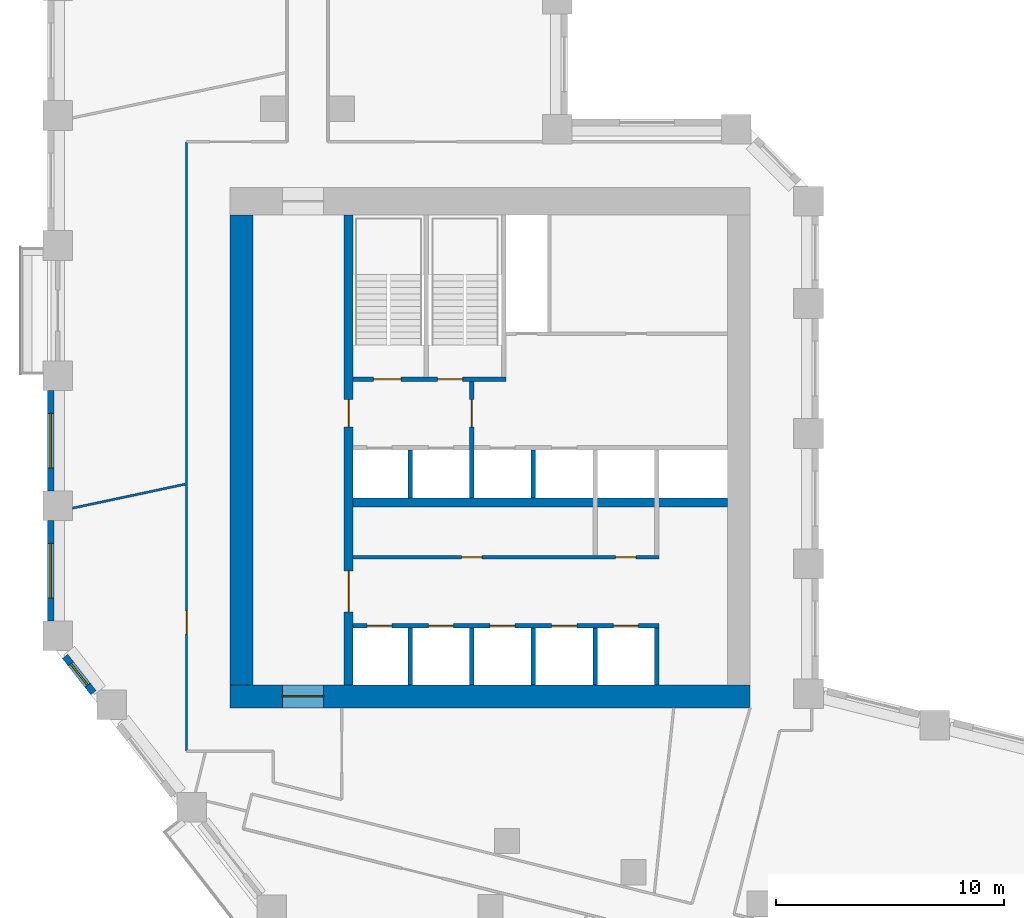
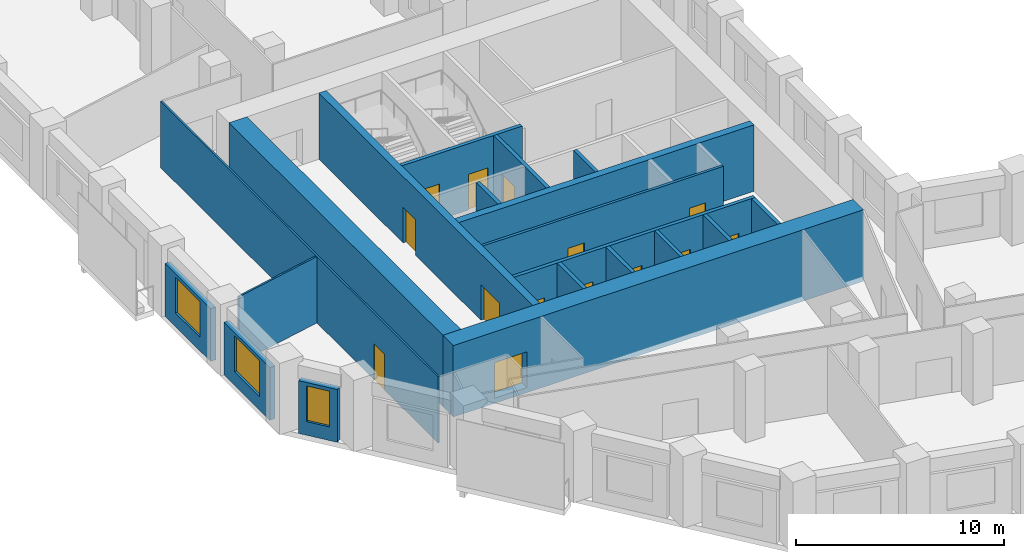
# One storey, part 4 of 11: 20 walls, 14 doors, 3 windows, 17 openings.
"""IFC4 building model written with IfcOpenShell, lengths in metres."""

from ifc_helpers import new_model, si_unit, direction, frame, frame_2d, origin, place, context, subcontext, project, spatial, rectangle, extrude, material, layer, layer_set, type_object, element, fill, save


model = new_model("IFC4")

# Units and contexts
model_context = context("Model", 3, precision=1e-05, world=origin(), true_north=direction((0.0, 1.0)))
body_context = subcontext(model_context, "Body", "Model", "MODEL_VIEW")
ifc_project = project(units=[si_unit("LENGTHUNIT", "METRE"), si_unit("AREAUNIT", "SQUARE_METRE"), si_unit("VOLUMEUNIT", "CUBIC_METRE"), si_unit("PLANEANGLEUNIT", "RADIAN"), si_unit("MASSUNIT", "GRAM", prefix="KILO")], contexts=[model_context])

# Site, building, storey
site_placement = place(None, origin())
site = spatial("IfcSite", under=ifc_project, at=site_placement, CompositionType="ELEMENT")
building_placement = place(site_placement, origin())
building = spatial("IfcBuilding", under=site, at=building_placement, Name="Meshkara Civic Tower", CompositionType="ELEMENT")
storey_placement = place(building_placement, frame((0.0, 0.0, 143.39990234375)))
storey = spatial("IfcBuildingStorey", under=building, at=storey_placement, Name="L32", CompositionType="ELEMENT", Elevation=143.39990234375)

# Wall, openings, doors
ifc_material_1 = material(Name="Blockwork", Category="masonry")
ifc_layer_1 = layer(ifc_material_1, 0.14990234375)
ifc_layer_set_1 = layer_set([ifc_layer_1], Name="Core partition 150")
wall_type_1 = type_object("IfcWallType", Name="Core partition 150", PredefinedType="PARTITIONING", material=ifc_layer_set_1)
wall_1_placement = place(storey_placement, frame((13.39990234375, 20.699951171875, 0.0), z_axis=(0.0, 0.0, 1.0), x_axis=(1.0, 0.0, 0.0)))
wall_1 = element("IfcWall", 1, at=wall_1_placement, inside=storey, type_object=wall_type_1, Name="L32-C006", PredefinedType="PARTITIONING", context=body_context, shape_type="SweptSolid", body=[
    extrude(rectangle(XDim=13.400146484375, YDim=0.14990234375, at=frame_2d((6.7001953125, 0.0))), origin(), (0.0, 0.0, 1.0), 3.900146484375),
])
opening_1_placement = place(wall_1_placement, frame((4.75, 0.0, 0.0)))
opening_1 = element("IfcOpeningElement", 2, at=opening_1_placement, cuts=wall_1, Name="Opening L32-K010", PredefinedType="OPENING", context=body_context, shape_type="SweptSolid", body=[
    extrude(rectangle(XDim=0.89990234375, YDim=2.10009765625, at=frame_2d((0.449951171875, 1.050048828125))), frame((0.0, 0.0849609375, 0.0), z_axis=(0.0, -1.0, 0.0), x_axis=(1.0, 0.0, 0.0)), (0.0, 0.0, 1.0), 0.169921875),
])
opening_2_placement = place(wall_1_placement, frame((11.5, 0.0, 0.0)))
opening_2 = element("IfcOpeningElement", 3, at=opening_2_placement, cuts=wall_1, Name="Opening L32-K011", PredefinedType="OPENING", context=body_context, shape_type="SweptSolid", body=[
    extrude(rectangle(XDim=0.89990234375, YDim=2.10009765625, at=frame_2d((0.449951171875, 1.050048828125))), frame((0.0, 0.0849609375, 0.0), z_axis=(0.0, -1.0, 0.0), x_axis=(1.0, 0.0, 0.0)), (0.0, 0.0, 1.0), 0.169921875),
])
ifc_material_2 = material(Name="Timber door leaf in steel frame", Category="steel")
door_type_1 = type_object("IfcDoorType", Name="Core room door 900", OperationType="SINGLE_SWING_LEFT", PredefinedType="DOOR", material=ifc_material_2)
door_1_placement = place(opening_1_placement, origin())
door_1 = element("IfcDoor", 4, at=door_1_placement, inside=storey, type_object=door_type_1, Name="L32-K010", OperationType="SINGLE_SWING_RIGHT", OverallHeight=2.10009765625, OverallWidth=0.89990234375, PredefinedType="DOOR", context=body_context, shape_type="SweptSolid", body=[
    extrude(rectangle(XDim=0.89990234375, YDim=2.10009765625, at=frame_2d((0.449951171875, 1.050048828125))), frame((0.0, 0.02490234375, 0.0), z_axis=(0.0, -1.0, 0.0), x_axis=(1.0, 0.0, 0.0)), (0.0, 0.0, 1.0), 0.050048828125),
])
fill(opening_1, door_1)
door_2_placement = place(opening_2_placement, origin())
door_2 = element("IfcDoor", 5, at=door_2_placement, inside=storey, type_object=door_type_1, Name="L32-K011", OperationType="SINGLE_SWING_RIGHT", OverallHeight=2.10009765625, OverallWidth=0.89990234375, PredefinedType="DOOR", context=body_context, shape_type="SweptSolid", body=[
    extrude(rectangle(XDim=0.89990234375, YDim=2.10009765625, at=frame_2d((0.449951171875, 1.050048828125))), frame((0.0, 0.02490234375, 0.0), z_axis=(0.0, -1.0, 0.0), x_axis=(1.0, 0.0, 0.0)), (0.0, 0.0, 1.0), 0.050048828125),
])
fill(opening_2, door_2)

# Wall, opening, door
ifc_material_3 = material(Name="Concrete C70", Category="concrete")
ifc_layer_2 = layer(ifc_material_3, 1.0)
ifc_layer_set_2 = layer_set([ifc_layer_2], Name="Core ring wall 1000 C70")
wall_type_2 = type_object("IfcWallType", Name="Core ring wall 1000 C70", PredefinedType="SHEAR", material=ifc_layer_set_2)
wall_2_placement = place(storey_placement, frame((8.0, 14.60009765625, -0.2998046875), z_axis=(0.0, 0.0, 1.0), x_axis=(1.0, 0.0, 0.0)))
wall_2 = element("IfcWall", 6, at=wall_2_placement, inside=storey, type_object=wall_type_2, Name="L32-C001", PredefinedType="SHEAR", context=body_context, shape_type="SweptSolid", body=[
    extrude(rectangle(XDim=22.800048828125, YDim=1.0, at=frame_2d((11.39990234375, 0.0))), origin(), (0.0, 0.0, 1.0), 4.199951171875),
])
opening_3_placement = place(wall_2_placement, frame((2.300048828125, 0.0, 0.300048828125)))
opening_3 = element("IfcOpeningElement", 7, at=opening_3_placement, cuts=wall_2, Name="Opening L32-K020", PredefinedType="OPENING", context=body_context, shape_type="SweptSolid", body=[
    extrude(rectangle(XDim=1.800048828125, YDim=2.10009765625, at=frame_2d((0.89990234375, 1.050048828125))), frame((0.0, 0.510009765625, 0.0), z_axis=(0.0, -1.0, 0.0), x_axis=(1.0, 0.0, 0.0)), (0.0, 0.0, 1.0), 1.02001953125),
])
ifc_material_4 = material(Name="Fire-rated door leaf in steel frame", Category="steel")
door_type_2 = type_object("IfcDoorType", Name="Core double door 1800 EI 60", OperationType="DOUBLE_DOOR_SINGLE_SWING", PredefinedType="DOOR", material=ifc_material_4)
door_3_placement = place(opening_3_placement, origin())
door_3 = element("IfcDoor", 8, at=door_3_placement, inside=storey, type_object=door_type_2, Name="L32-K020", OperationType="DOUBLE_DOOR_SINGLE_SWING", OverallHeight=2.10009765625, OverallWidth=1.800048828125, PredefinedType="DOOR", context=body_context, shape_type="SweptSolid", body=[
    extrude(rectangle(XDim=1.800048828125, YDim=2.10009765625, at=frame_2d((0.89990234375, 1.050048828125))), frame((0.0, 0.02490234375, 0.0), z_axis=(0.0, -1.0, 0.0), x_axis=(1.0, 0.0, 0.0)), (0.0, 0.0, 1.0), 0.050048828125),
])
fill(opening_3, door_3)

# Walls
wall_3_placement = place(storey_placement, frame((8.5, 15.10009765625, -0.2998046875), z_axis=(0.0, 0.0, 1.0), x_axis=(0.0, 1.0, 0.0)))
element("IfcWall", 9, at=wall_3_placement, inside=storey, type_object=wall_type_2, Name="L32-C003", PredefinedType="SHEAR", context=body_context, shape_type="SweptSolid", body=[
    extrude(rectangle(XDim=20.599853515625, YDim=1.0, at=frame_2d((10.2998046875, 0.0))), origin(), (0.0, 0.0, 1.0), 4.199951171875),
])
ifc_material_5 = material(Name="Concrete C70", Category="concrete")
ifc_layer_3 = layer(ifc_material_5, 0.39990234375)
ifc_layer_set_3 = layer_set([ifc_layer_3], Name="Core shear wall 400 C70")
wall_type_3 = type_object("IfcWallType", Name="Core shear wall 400 C70", PredefinedType="SHEAR", material=ifc_layer_set_3)
wall_4_placement = place(storey_placement, frame((13.39990234375, 23.10009765625, 0.0), z_axis=(0.0, 0.0, 1.0), x_axis=(1.0, 0.0, 0.0)))
element("IfcWall", 10, at=wall_4_placement, inside=storey, type_object=wall_type_3, Name="L32-C007", PredefinedType="SHEAR", context=body_context, shape_type="SweptSolid", body=[
    extrude(rectangle(XDim=16.400146484375, YDim=0.39990234375, at=frame_2d((8.2001953125, 0.0))), origin(), (0.0, 0.0, 1.0), 3.900146484375),
])

# Wall, openings, doors
wall_5_placement = place(storey_placement, frame((13.199951171875, 15.10009765625, 0.0), z_axis=(0.0, 0.0, 1.0), x_axis=(0.0, 1.0, 0.0)))
wall_5 = element("IfcWall", 11, at=wall_5_placement, inside=storey, type_object=wall_type_3, Name="L32-C011", PredefinedType="SHEAR", context=body_context, shape_type="SweptSolid", body=[
    extrude(rectangle(XDim=20.599853515625, YDim=0.39990234375, at=frame_2d((10.2998046875, 0.0))), origin(), (0.0, 0.0, 1.0), 3.900146484375),
])
opening_4_placement = place(wall_5_placement, frame((3.199951171875, 0.0, 0.0)))
opening_4 = element("IfcOpeningElement", 12, at=opening_4_placement, cuts=wall_5, Name="Opening L32-K016", PredefinedType="OPENING", context=body_context, shape_type="SweptSolid", body=[
    extrude(rectangle(XDim=1.800048828125, YDim=2.10009765625, at=frame_2d((0.89990234375, 1.050048828125))), frame((0.0, 0.2099609375, 0.0), z_axis=(0.0, -1.0, 0.0), x_axis=(1.0, 0.0, 0.0)), (0.0, 0.0, 1.0), 0.419921875),
])
opening_5_placement = place(wall_5_placement, frame((11.300048828125, 0.0, 0.0)))
opening_5 = element("IfcOpeningElement", 13, at=opening_5_placement, cuts=wall_5, Name="Opening L32-K017", PredefinedType="OPENING", context=body_context, shape_type="SweptSolid", body=[
    extrude(rectangle(XDim=1.199951171875, YDim=2.10009765625, at=frame_2d((0.60009765625, 1.050048828125))), frame((0.0, 0.2099609375, 0.0), z_axis=(0.0, -1.0, 0.0), x_axis=(1.0, 0.0, 0.0)), (0.0, 0.0, 1.0), 0.419921875),
])
door_4_placement = place(opening_4_placement, origin())
door_4 = element("IfcDoor", 14, at=door_4_placement, inside=storey, type_object=door_type_2, Name="L32-K016", OperationType="DOUBLE_DOOR_SINGLE_SWING", OverallHeight=2.10009765625, OverallWidth=1.800048828125, PredefinedType="DOOR", context=body_context, shape_type="SweptSolid", body=[
    extrude(rectangle(XDim=1.800048828125, YDim=2.10009765625, at=frame_2d((0.89990234375, 1.050048828125))), frame((0.0, 0.02490234375, 0.0), z_axis=(0.0, -1.0, 0.0), x_axis=(1.0, 0.0, 0.0)), (0.0, 0.0, 1.0), 0.050048828125),
])
fill(opening_4, door_4)
ifc_material_6 = material(Name="Fire-rated door leaf in steel frame", Category="steel")
door_type_3 = type_object("IfcDoorType", Name="Fire-fighting lobby door 1200 EI 120", OperationType="SINGLE_SWING_LEFT", PredefinedType="DOOR", material=ifc_material_6)
door_5_placement = place(opening_5_placement, origin())
door_5 = element("IfcDoor", 15, at=door_5_placement, inside=storey, type_object=door_type_3, Name="L32-K017", OperationType="SINGLE_SWING_LEFT", OverallHeight=2.10009765625, OverallWidth=1.199951171875, PredefinedType="DOOR", context=body_context, shape_type="SweptSolid", body=[
    extrude(rectangle(XDim=1.199951171875, YDim=2.10009765625, at=frame_2d((0.60009765625, 1.050048828125))), frame((0.0, 0.02490234375, 0.0), z_axis=(0.0, -1.0, 0.0), x_axis=(1.0, 0.0, 0.0)), (0.0, 0.0, 1.0), 0.050048828125),
])
fill(opening_5, door_5)

# Wall, opening, door
ifc_material_7 = material(Name="Corridor wall 100")
ifc_layer_4 = layer(ifc_material_7, 0.10009765625)
ifc_layer_set_4 = layer_set([ifc_layer_4], Name="Corridor wall 100")
wall_type_4 = type_object("IfcWallType", Name="Corridor wall 100", PredefinedType="PARTITIONING", material=ifc_layer_set_4)
wall_6_placement = place(storey_placement, frame((6.10009765625, 38.89990234375, 0.0), z_axis=(0.0, 0.0, 1.0), x_axis=(0.0, -1.0, 0.0)))
wall_6 = element("IfcWall", 16, at=wall_6_placement, inside=storey, type_object=wall_type_4, Name="L32-W005", PredefinedType="PARTITIONING", context=body_context, shape_type="SweptSolid", body=[
    extrude(rectangle(XDim=26.699951171875, YDim=0.10009765625, at=frame_2d((13.35009765625, 0.0))), origin(), (0.0, 0.0, 1.0), 3.900146484375),
])
opening_6_placement = place(wall_6_placement, frame((20.569091796875, 0.0, 0.0)))
opening_6 = element("IfcOpeningElement", 17, at=opening_6_placement, cuts=wall_6, Name="Opening L32-D014", PredefinedType="OPENING", context=body_context, shape_type="SweptSolid", body=[
    extrude(rectangle(XDim=1.0, YDim=2.10009765625, at=frame_2d((0.5, 1.050048828125))), frame((0.0, 0.06005859375, 0.0), z_axis=(0.0, -1.0, 0.0), x_axis=(1.0, 0.0, 0.0)), (0.0, 0.0, 1.0), 0.1201171875),
])
ifc_material_8 = material(Name="Door 1000 x 2100")
door_type_4 = type_object("IfcDoorType", Name="Door 1000 x 2100", OperationType="SINGLE_SWING_LEFT", PredefinedType="DOOR", material=ifc_material_8)
door_6_placement = place(opening_6_placement, origin())
door_6 = element("IfcDoor", 18, at=door_6_placement, inside=storey, type_object=door_type_4, Name="L32-D014", OperationType="SINGLE_SWING_LEFT", OverallHeight=2.10009765625, OverallWidth=1.0, PredefinedType="DOOR", context=body_context, shape_type="SweptSolid", body=[
    extrude(rectangle(XDim=1.0, YDim=2.10009765625, at=frame_2d((0.5, 1.050048828125))), frame((0.0, 0.02490234375, 0.0), z_axis=(0.0, -1.0, 0.0), x_axis=(1.0, 0.0, 0.0)), (0.0, 0.0, 1.0), 0.050048828125),
])
fill(opening_6, door_6)

# Wall, opening, window
ifc_material_9 = material(Name="Insulated infill panel with bronze anodised aluminium cladding", Category="aluminium")
ifc_layer_5 = layer(ifc_material_9, 0.300048828125)
ifc_layer_set_5 = layer_set([ifc_layer_5], Name="EXTERNAL INFILL WALL 300")
wall_type_5 = type_object("IfcWallType", Name="EXTERNAL INFILL WALL 300", PredefinedType="SOLIDWALL", material=ifc_layer_set_5)
wall_7_placement = place(storey_placement, frame((0.14990234375, 28.0048828125, 0.0), z_axis=(0.0, 0.0, 1.0), x_axis=(0.0, -1.0, 0.0)))
wall_7 = element("IfcWall", 19, at=wall_7_placement, inside=storey, type_object=wall_type_5, Name="External wall", PredefinedType="SOLIDWALL", context=body_context, shape_type="SweptSolid", body=[
    extrude(rectangle(XDim=4.39990234375, YDim=0.300048828125, at=frame_2d((2.199951171875, 0.0))), origin(), (0.0, 0.0, 1.0), 3.10009765625),
])
opening_7_placement = place(wall_7_placement, frame((1.0, 0.0, 0.800048828125)))
opening_7 = element("IfcOpeningElement", 20, at=opening_7_placement, cuts=wall_7, Name="Opening W7", PredefinedType="OPENING", context=body_context, shape_type="SweptSolid", body=[
    extrude(rectangle(XDim=2.39990234375, YDim=2.10009765625, at=frame_2d((1.199951171875, 1.050048828125))), frame((0.0, 0.159912109375, 0.0), z_axis=(0.0, -1.0, 0.0), x_axis=(1.0, 0.0, 0.0)), (0.0, 0.0, 1.0), 0.320068359375),
])
ifc_material_10 = material(Name="Tinted double glazing", Category="glass")
window_type_1 = type_object("IfcWindowType", Name="WINDOW 2400x2100", PartitioningType="DOUBLE_PANEL_VERTICAL", PredefinedType="WINDOW", material=ifc_material_10)
window_1_placement = place(opening_7_placement, origin())
window_1 = element("IfcWindow", 21, at=window_1_placement, inside=storey, type_object=window_type_1, Name="Window", OverallHeight=2.10009765625, OverallWidth=2.39990234375, PartitioningType="DOUBLE_PANEL_VERTICAL", PredefinedType="WINDOW", context=body_context, shape_type="SweptSolid", body=[
    extrude(rectangle(XDim=2.39990234375, YDim=2.10009765625, at=frame_2d((1.199951171875, 1.050048828125))), frame((0.0, 0.030029296875, 0.0), z_axis=(0.0, -1.0, 0.0), x_axis=(1.0, 0.0, 0.0)), (0.0, 0.0, 1.0), 0.06005859375),
])
fill(opening_7, window_1)

wall_8_placement = place(storey_placement, frame((0.14990234375, 22.304931640625, 0.0), z_axis=(0.0, 0.0, 1.0), x_axis=(0.0, -1.0, 0.0)))
wall_8 = element("IfcWall", 22, at=wall_8_placement, inside=storey, type_object=wall_type_5, Name="External wall", PredefinedType="SOLIDWALL", context=body_context, shape_type="SweptSolid", body=[
    extrude(rectangle(XDim=4.39990234375, YDim=0.300048828125, at=frame_2d((2.199951171875, 0.0))), origin(), (0.0, 0.0, 1.0), 3.10009765625),
])
opening_8_placement = place(wall_8_placement, frame((1.0, 0.0, 0.800048828125)))
opening_8 = element("IfcOpeningElement", 23, at=opening_8_placement, cuts=wall_8, Name="Opening W7", PredefinedType="OPENING", context=body_context, shape_type="SweptSolid", body=[
    extrude(rectangle(XDim=2.39990234375, YDim=2.10009765625, at=frame_2d((1.199951171875, 1.050048828125))), frame((0.0, 0.159912109375, 0.0), z_axis=(0.0, -1.0, 0.0), x_axis=(1.0, 0.0, 0.0)), (0.0, 0.0, 1.0), 0.320068359375),
])
window_2_placement = place(opening_8_placement, origin())
window_2 = element("IfcWindow", 24, at=window_2_placement, inside=storey, type_object=window_type_1, Name="Window", OverallHeight=2.10009765625, OverallWidth=2.39990234375, PartitioningType="DOUBLE_PANEL_VERTICAL", PredefinedType="WINDOW", context=body_context, shape_type="SweptSolid", body=[
    extrude(rectangle(XDim=2.39990234375, YDim=2.10009765625, at=frame_2d((1.199951171875, 1.050048828125))), frame((0.0, 0.030029296875, 0.0), z_axis=(0.0, -1.0, 0.0), x_axis=(1.0, 0.0, 0.0)), (0.0, 0.0, 1.0), 0.06005859375),
])
fill(opening_8, window_2)

wall_9_placement = place(storey_placement, frame((0.77490234375, 16.35107421875, 0.0), z_axis=(0.0, 0.0, 1.0), x_axis=(0.6157921118, -0.787908671766, 0.0)))
wall_9 = element("IfcWall", 25, at=wall_9_placement, inside=storey, type_object=wall_type_5, Name="External wall", PredefinedType="SOLIDWALL", context=body_context, shape_type="SweptSolid", body=[
    extrude(rectangle(XDim=2.015625, YDim=0.300048828125, at=frame_2d((1.0078125, 0.0))), origin(), (0.0, 0.0, 1.0), 3.10009765625),
])
opening_9_placement = place(wall_9_placement, frame((0.407958984375, 0.0, 0.800048828125)))
opening_9 = element("IfcOpeningElement", 26, at=opening_9_placement, cuts=wall_9, Name="Opening W3", PredefinedType="OPENING", context=body_context, shape_type="SweptSolid", body=[
    extrude(rectangle(XDim=1.199951171875, YDim=2.10009765625, at=frame_2d((0.60009765625, 1.050048828125))), frame((0.0, 0.159912109375, 0.0), z_axis=(0.0, -1.0, 0.0), x_axis=(1.0, 0.0, 0.0)), (0.0, 0.0, 1.0), 0.320068359375),
])
ifc_material_11 = material(Name="Tinted double glazing", Category="glass")
window_type_2 = type_object("IfcWindowType", Name="WINDOW 1200x2100", PartitioningType="SINGLE_PANEL", PredefinedType="WINDOW", material=ifc_material_11)
window_3_placement = place(opening_9_placement, origin())
window_3 = element("IfcWindow", 27, at=window_3_placement, inside=storey, type_object=window_type_2, Name="Window", OverallHeight=2.10009765625, OverallWidth=1.199951171875, PartitioningType="SINGLE_PANEL", PredefinedType="WINDOW", context=body_context, shape_type="SweptSolid", body=[
    extrude(rectangle(XDim=1.199951171875, YDim=2.10009765625, at=frame_2d((0.60009765625, 1.050048828125))), frame((0.0, 0.030029296875, 0.0), z_axis=(0.0, -1.0, 0.0), x_axis=(1.0, 0.0, 0.0)), (0.0, 0.0, 1.0), 0.06005859375),
])
fill(opening_9, window_3)

# Wall
ifc_material_12 = material(Name="Partition 100")
ifc_layer_6 = layer(ifc_material_12, 0.10009765625)
ifc_layer_set_6 = layer_set([ifc_layer_6], Name="Partition 100")
wall_type_6 = type_object("IfcWallType", Name="Partition 100", PredefinedType="PARTITIONING", material=ifc_layer_set_6)
wall_10_placement = place(storey_placement, frame((6.0400390625, 23.89794921875, 0.0), z_axis=(0.0, 0.0, 1.0), x_axis=(-0.978146317441, -0.207917728146, 0.0)))
element("IfcWall", 28, at=wall_10_placement, inside=storey, type_object=wall_type_6, Name="L32-W033", PredefinedType="PARTITIONING", context=body_context, shape_type="SweptSolid", body=[
    extrude(rectangle(XDim=5.05029296875, YDim=0.10009765625, at=frame_2d((2.525146484375, 0.0))), origin(), (0.0, 0.0, 1.0), 3.900146484375),
])

# Wall, openings, doors
ifc_material_13 = material(Name="Concrete C40/50", Category="concrete")
ifc_layer_7 = layer(ifc_material_13, 0.199951171875)
ifc_layer_set_7 = layer_set([ifc_layer_7], Name="Shaft wall 200 C40/50")
wall_type_7 = type_object("IfcWallType", Name="Shaft wall 200 C40/50", PredefinedType="SOLIDWALL", material=ifc_layer_set_7)
wall_11_placement = place(storey_placement, frame((13.39990234375, 17.699951171875, 0.0), z_axis=(0.0, 0.0, 1.0), x_axis=(1.0, 0.0, 0.0)))
wall_11 = element("IfcWall", 29, at=wall_11_placement, inside=storey, type_object=wall_type_7, Name="L32-C005", PredefinedType="SOLIDWALL", context=body_context, shape_type="SweptSolid", body=[
    extrude(rectangle(XDim=13.400146484375, YDim=0.199951171875, at=frame_2d((6.7001953125, 0.0))), origin(), (0.0, 0.0, 1.0), 3.900146484375),
])
opening_10_placement = place(wall_11_placement, frame((0.60009765625, 0.0, 0.0)))
opening_10 = element("IfcOpeningElement", 30, at=opening_10_placement, cuts=wall_11, Name="Opening L32-K001", PredefinedType="OPENING", context=body_context, shape_type="SweptSolid", body=[
    extrude(rectangle(XDim=1.10009765625, YDim=2.10009765625, at=frame_2d((0.550048828125, 1.050048828125))), frame((0.0, 0.10986328125, 0.0), z_axis=(0.0, -1.0, 0.0), x_axis=(1.0, 0.0, 0.0)), (0.0, 0.0, 1.0), 0.219970703125),
])
opening_11_placement = place(wall_11_placement, frame((3.300048828125, 0.0, 0.0)))
opening_11 = element("IfcOpeningElement", 31, at=opening_11_placement, cuts=wall_11, Name="Opening L32-K002", PredefinedType="OPENING", context=body_context, shape_type="SweptSolid", body=[
    extrude(rectangle(XDim=1.10009765625, YDim=2.10009765625, at=frame_2d((0.550048828125, 1.050048828125))), frame((0.0, 0.10986328125, 0.0), z_axis=(0.0, -1.0, 0.0), x_axis=(1.0, 0.0, 0.0)), (0.0, 0.0, 1.0), 0.219970703125),
])
opening_12_placement = place(wall_11_placement, frame((6.0, 0.0, 0.0)))
opening_12 = element("IfcOpeningElement", 32, at=opening_12_placement, cuts=wall_11, Name="Opening L32-K003", PredefinedType="OPENING", context=body_context, shape_type="SweptSolid", body=[
    extrude(rectangle(XDim=1.10009765625, YDim=2.10009765625, at=frame_2d((0.550048828125, 1.050048828125))), frame((0.0, 0.10986328125, 0.0), z_axis=(0.0, -1.0, 0.0), x_axis=(1.0, 0.0, 0.0)), (0.0, 0.0, 1.0), 0.219970703125),
])
opening_13_placement = place(wall_11_placement, frame((8.699951171875, 0.0, 0.0)))
opening_13 = element("IfcOpeningElement", 33, at=opening_13_placement, cuts=wall_11, Name="Opening L32-K004", PredefinedType="OPENING", context=body_context, shape_type="SweptSolid", body=[
    extrude(rectangle(XDim=1.10009765625, YDim=2.10009765625, at=frame_2d((0.550048828125, 1.050048828125))), frame((0.0, 0.10986328125, 0.0), z_axis=(0.0, -1.0, 0.0), x_axis=(1.0, 0.0, 0.0)), (0.0, 0.0, 1.0), 0.219970703125),
])
opening_14_placement = place(wall_11_placement, frame((11.39990234375, 0.0, 0.0)))
opening_14 = element("IfcOpeningElement", 34, at=opening_14_placement, cuts=wall_11, Name="Opening L32-K005", PredefinedType="OPENING", context=body_context, shape_type="SweptSolid", body=[
    extrude(rectangle(XDim=1.10009765625, YDim=2.10009765625, at=frame_2d((0.550048828125, 1.050048828125))), frame((0.0, 0.10986328125, 0.0), z_axis=(0.0, -1.0, 0.0), x_axis=(1.0, 0.0, 0.0)), (0.0, 0.0, 1.0), 0.219970703125),
])
ifc_material_14 = material(Name="Stainless steel landing door", Category="steel")
door_type_5 = type_object("IfcDoorType", Name="Lift landing door 1100", OperationType="SLIDING_TO_LEFT", PredefinedType="DOOR", material=ifc_material_14)
door_7_placement = place(opening_10_placement, origin())
door_7 = element("IfcDoor", 35, at=door_7_placement, inside=storey, type_object=door_type_5, Name="L32-K001", OperationType="SLIDING_TO_LEFT", OverallHeight=2.10009765625, OverallWidth=1.10009765625, PredefinedType="DOOR", context=body_context, shape_type="SweptSolid", body=[
    extrude(rectangle(XDim=1.10009765625, YDim=2.10009765625, at=frame_2d((0.550048828125, 1.050048828125))), frame((0.0, 0.02490234375, 0.0), z_axis=(0.0, -1.0, 0.0), x_axis=(1.0, 0.0, 0.0)), (0.0, 0.0, 1.0), 0.050048828125),
])
fill(opening_10, door_7)
door_8_placement = place(opening_11_placement, origin())
door_8 = element("IfcDoor", 36, at=door_8_placement, inside=storey, type_object=door_type_5, Name="L32-K002", OperationType="SLIDING_TO_LEFT", OverallHeight=2.10009765625, OverallWidth=1.10009765625, PredefinedType="DOOR", context=body_context, shape_type="SweptSolid", body=[
    extrude(rectangle(XDim=1.10009765625, YDim=2.10009765625, at=frame_2d((0.550048828125, 1.050048828125))), frame((0.0, 0.02490234375, 0.0), z_axis=(0.0, -1.0, 0.0), x_axis=(1.0, 0.0, 0.0)), (0.0, 0.0, 1.0), 0.050048828125),
])
fill(opening_11, door_8)
door_9_placement = place(opening_12_placement, origin())
door_9 = element("IfcDoor", 37, at=door_9_placement, inside=storey, type_object=door_type_5, Name="L32-K003", OperationType="SLIDING_TO_LEFT", OverallHeight=2.10009765625, OverallWidth=1.10009765625, PredefinedType="DOOR", context=body_context, shape_type="SweptSolid", body=[
    extrude(rectangle(XDim=1.10009765625, YDim=2.10009765625, at=frame_2d((0.550048828125, 1.050048828125))), frame((0.0, 0.02490234375, 0.0), z_axis=(0.0, -1.0, 0.0), x_axis=(1.0, 0.0, 0.0)), (0.0, 0.0, 1.0), 0.050048828125),
])
fill(opening_12, door_9)
door_10_placement = place(opening_13_placement, origin())
door_10 = element("IfcDoor", 38, at=door_10_placement, inside=storey, type_object=door_type_5, Name="L32-K004", OperationType="SLIDING_TO_LEFT", OverallHeight=2.10009765625, OverallWidth=1.10009765625, PredefinedType="DOOR", context=body_context, shape_type="SweptSolid", body=[
    extrude(rectangle(XDim=1.10009765625, YDim=2.10009765625, at=frame_2d((0.550048828125, 1.050048828125))), frame((0.0, 0.02490234375, 0.0), z_axis=(0.0, -1.0, 0.0), x_axis=(1.0, 0.0, 0.0)), (0.0, 0.0, 1.0), 0.050048828125),
])
fill(opening_13, door_10)
door_11_placement = place(opening_14_placement, origin())
door_11 = element("IfcDoor", 39, at=door_11_placement, inside=storey, type_object=door_type_5, Name="L32-K005", OperationType="SLIDING_TO_LEFT", OverallHeight=2.10009765625, OverallWidth=1.10009765625, PredefinedType="DOOR", context=body_context, shape_type="SweptSolid", body=[
    extrude(rectangle(XDim=1.10009765625, YDim=2.10009765625, at=frame_2d((0.550048828125, 1.050048828125))), frame((0.0, 0.02490234375, 0.0), z_axis=(0.0, -1.0, 0.0), x_axis=(1.0, 0.0, 0.0)), (0.0, 0.0, 1.0), 0.050048828125),
])
fill(opening_14, door_11)

# Walls
wall_12_placement = place(storey_placement, frame((15.89990234375, 15.10009765625, 0.0), z_axis=(0.0, 0.0, 1.0), x_axis=(0.0, 1.0, 0.0)))
element("IfcWall", 40, at=wall_12_placement, inside=storey, type_object=wall_type_7, Name="L32-C012", PredefinedType="SOLIDWALL", context=body_context, shape_type="SweptSolid", body=[
    extrude(rectangle(XDim=2.5, YDim=0.199951171875, at=frame_2d((1.25, 0.0))), origin(), (0.0, 0.0, 1.0), 3.900146484375),
])
wall_13_placement = place(storey_placement, frame((15.89990234375, 23.300048828125, 0.0), z_axis=(0.0, 0.0, 1.0), x_axis=(0.0, 1.0, 0.0)))
element("IfcWall", 41, at=wall_13_placement, inside=storey, type_object=wall_type_7, Name="L32-C013", PredefinedType="SOLIDWALL", context=body_context, shape_type="SweptSolid", body=[
    extrude(rectangle(XDim=2.099853515625, YDim=0.199951171875, at=frame_2d((1.0498046875, 0.0))), origin(), (0.0, 0.0, 1.0), 3.900146484375),
])
wall_14_placement = place(storey_placement, frame((18.60009765625, 15.10009765625, 0.0), z_axis=(0.0, 0.0, 1.0), x_axis=(0.0, 1.0, 0.0)))
element("IfcWall", 42, at=wall_14_placement, inside=storey, type_object=wall_type_7, Name="L32-C015", PredefinedType="SOLIDWALL", context=body_context, shape_type="SweptSolid", body=[
    extrude(rectangle(XDim=2.5, YDim=0.199951171875, at=frame_2d((1.25, 0.0))), origin(), (0.0, 0.0, 1.0), 3.900146484375),
])

# Wall, opening, door
wall_15_placement = place(storey_placement, frame((18.60009765625, 23.300048828125, 0.0), z_axis=(0.0, 0.0, 1.0), x_axis=(0.0, 1.0, 0.0)))
wall_15 = element("IfcWall", 43, at=wall_15_placement, inside=storey, type_object=wall_type_7, Name="L32-C016", PredefinedType="SOLIDWALL", context=body_context, shape_type="SweptSolid", body=[
    extrude(rectangle(XDim=5.099853515625, YDim=0.199951171875, at=frame_2d((2.5498046875, 0.0))), origin(), (0.0, 0.0, 1.0), 3.900146484375),
])
opening_15_placement = place(wall_15_placement, frame((3.10009765625, 0.0, 0.0)))
opening_15 = element("IfcOpeningElement", 44, at=opening_15_placement, cuts=wall_15, Name="Opening L32-K018", PredefinedType="OPENING", context=body_context, shape_type="SweptSolid", body=[
    extrude(rectangle(XDim=1.199951171875, YDim=2.10009765625, at=frame_2d((0.60009765625, 1.050048828125))), frame((0.0, 0.10986328125, 0.0), z_axis=(0.0, -1.0, 0.0), x_axis=(1.0, 0.0, 0.0)), (0.0, 0.0, 1.0), 0.219970703125),
])
door_12_placement = place(opening_15_placement, origin())
door_12 = element("IfcDoor", 45, at=door_12_placement, inside=storey, type_object=door_type_3, Name="L32-K018", OperationType="SINGLE_SWING_RIGHT", OverallHeight=2.10009765625, OverallWidth=1.199951171875, PredefinedType="DOOR", context=body_context, shape_type="SweptSolid", body=[
    extrude(rectangle(XDim=1.199951171875, YDim=2.10009765625, at=frame_2d((0.60009765625, 1.050048828125))), frame((0.0, 0.02490234375, 0.0), z_axis=(0.0, -1.0, 0.0), x_axis=(1.0, 0.0, 0.0)), (0.0, 0.0, 1.0), 0.050048828125),
])
fill(opening_15, door_12)

# Walls
wall_16_placement = place(storey_placement, frame((21.300048828125, 15.10009765625, 0.0), z_axis=(0.0, 0.0, 1.0), x_axis=(0.0, 1.0, 0.0)))
element("IfcWall", 46, at=wall_16_placement, inside=storey, type_object=wall_type_7, Name="L32-C018", PredefinedType="SOLIDWALL", context=body_context, shape_type="SweptSolid", body=[
    extrude(rectangle(XDim=2.5, YDim=0.199951171875, at=frame_2d((1.25, 0.0))), origin(), (0.0, 0.0, 1.0), 3.900146484375),
])
wall_17_placement = place(storey_placement, frame((21.300048828125, 23.300048828125, 0.0), z_axis=(0.0, 0.0, 1.0), x_axis=(0.0, 1.0, 0.0)))
element("IfcWall", 47, at=wall_17_placement, inside=storey, type_object=wall_type_7, Name="L32-C019", PredefinedType="SOLIDWALL", context=body_context, shape_type="SweptSolid", body=[
    extrude(rectangle(XDim=2.099853515625, YDim=0.199951171875, at=frame_2d((1.0498046875, 0.0))), origin(), (0.0, 0.0, 1.0), 3.900146484375),
])
for number, where, z_axis, x_axis, name in (
    (48, (24.0, 15.10009765625, 0.0), (0.0, 0.0, 1.0), (0.0, 1.0, 0.0), "L32-C021"),
    (49, (26.699951171875, 15.10009765625, 0.0), (0.0, 0.0, 1.0), (0.0, 1.0, 0.0), "L32-C023"),
):
    element("IfcWall", number, at=place(storey_placement, frame(where, z_axis=z_axis, x_axis=x_axis)), inside=storey, type_object=wall_type_7, Name=name, PredefinedType="SOLIDWALL", context=body_context, shape_type="SweptSolid", body=[
        extrude(rectangle(XDim=2.5, YDim=0.199951171875, at=frame_2d((1.25, 0.0))), origin(), (0.0, 0.0, 1.0), 3.900146484375),
    ])

# Wall, openings, doors
ifc_material_15 = material(Name="Concrete C40/50", Category="concrete")
ifc_layer_8 = layer(ifc_material_15, 0.199951171875)
ifc_layer_set_8 = layer_set([ifc_layer_8], Name="Stair enclosure wall 200 C40/50")
wall_type_8 = type_object("IfcWallType", Name="Stair enclosure wall 200 C40/50", PredefinedType="SOLIDWALL", material=ifc_layer_set_8)
wall_18_placement = place(storey_placement, frame((13.39990234375, 28.5, 0.0), z_axis=(0.0, 0.0, 1.0), x_axis=(1.0, 0.0, 0.0)))
wall_18 = element("IfcWall", 50, at=wall_18_placement, inside=storey, type_object=wall_type_8, Name="L32-C009", PredefinedType="SOLIDWALL", context=body_context, shape_type="SweptSolid", body=[
    extrude(rectangle(XDim=6.7001953125, YDim=0.199951171875, at=frame_2d((3.35009765625, 0.0))), origin(), (0.0, 0.0, 1.0), 3.900146484375),
])
opening_16_placement = place(wall_18_placement, frame((0.89990234375, 0.0, 0.0)))
opening_16 = element("IfcOpeningElement", 51, at=opening_16_placement, cuts=wall_18, Name="Opening L32-K014", PredefinedType="OPENING", context=body_context, shape_type="SweptSolid", body=[
    extrude(rectangle(XDim=1.199951171875, YDim=2.10009765625, at=frame_2d((0.60009765625, 1.050048828125))), frame((0.0, 0.10986328125, 0.0), z_axis=(0.0, -1.0, 0.0), x_axis=(1.0, 0.0, 0.0)), (0.0, 0.0, 1.0), 0.219970703125),
])
opening_17_placement = place(wall_18_placement, frame((3.699951171875, 0.0, 0.0)))
opening_17 = element("IfcOpeningElement", 52, at=opening_17_placement, cuts=wall_18, Name="Opening L32-K015", PredefinedType="OPENING", context=body_context, shape_type="SweptSolid", body=[
    extrude(rectangle(XDim=1.10009765625, YDim=2.10009765625, at=frame_2d((0.550048828125, 1.050048828125))), frame((0.0, 0.10986328125, 0.0), z_axis=(0.0, -1.0, 0.0), x_axis=(1.0, 0.0, 0.0)), (0.0, 0.0, 1.0), 0.219970703125),
])
ifc_material_16 = material(Name="Fire-rated door leaf in steel frame", Category="steel")
door_type_6 = type_object("IfcDoorType", Name="Stair door 1100 EI 120", OperationType="SINGLE_SWING_LEFT", PredefinedType="DOOR", material=ifc_material_16)
door_13_placement = place(opening_17_placement, origin())
door_13 = element("IfcDoor", 53, at=door_13_placement, inside=storey, type_object=door_type_6, Name="L32-K015", OperationType="SINGLE_SWING_LEFT", OverallHeight=2.10009765625, OverallWidth=1.10009765625, PredefinedType="DOOR", context=body_context, shape_type="SweptSolid", body=[
    extrude(rectangle(XDim=1.10009765625, YDim=2.10009765625, at=frame_2d((0.550048828125, 1.050048828125))), frame((0.0, 0.02490234375, 0.0), z_axis=(0.0, -1.0, 0.0), x_axis=(1.0, 0.0, 0.0)), (0.0, 0.0, 1.0), 0.050048828125),
])
fill(opening_17, door_13)
ifc_material_17 = material(Name="Fire-rated door leaf in steel frame", Category="steel")
door_type_7 = type_object("IfcDoorType", Name="Stair door 1200 EI 120", OperationType="SINGLE_SWING_LEFT", PredefinedType="DOOR", material=ifc_material_17)
door_14_placement = place(opening_16_placement, origin())
door_14 = element("IfcDoor", 54, at=door_14_placement, inside=storey, type_object=door_type_7, Name="L32-K014", OperationType="SINGLE_SWING_RIGHT", OverallHeight=2.10009765625, OverallWidth=1.199951171875, PredefinedType="DOOR", context=body_context, shape_type="SweptSolid", body=[
    extrude(rectangle(XDim=1.199951171875, YDim=2.10009765625, at=frame_2d((0.60009765625, 1.050048828125))), frame((0.0, 0.02490234375, 0.0), z_axis=(0.0, -1.0, 0.0), x_axis=(1.0, 0.0, 0.0)), (0.0, 0.0, 1.0), 0.050048828125),
])
fill(opening_16, door_14)

save(model, "model.ifc")
